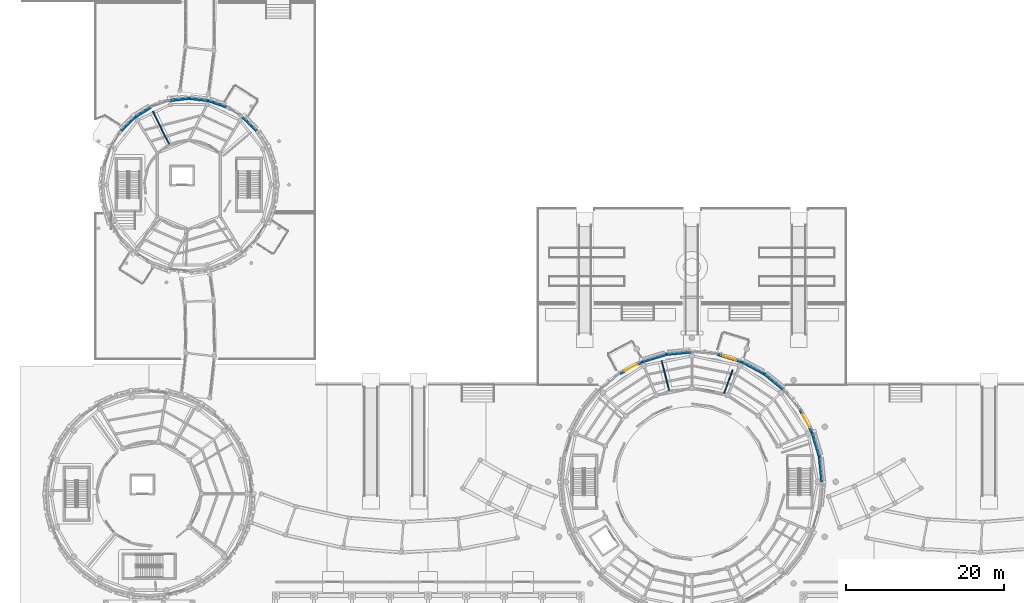
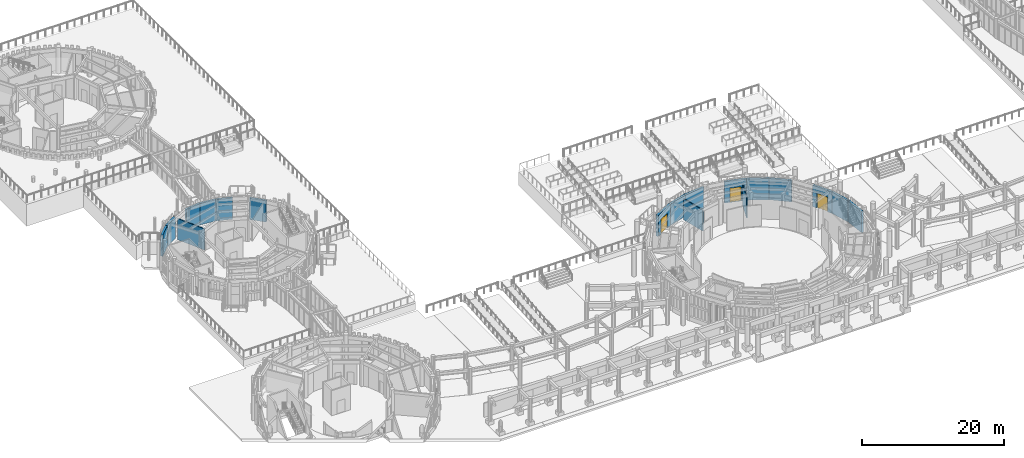
# One storey, part 50 of 94: 18 walls, 3 doors, 3 openings.
"""IFC4 building model written with IfcOpenShell, lengths in metres."""

from ifc_helpers import new_model, si_unit, direction, frame, frame_2d, origin, place, context, subcontext, project, spatial, rectangle, extrude, material, layer, layer_set, type_object, element, fill, save


model = new_model("IFC4")

# Units and contexts
model_context = context("Model", 3, precision=1e-05, world=origin(), true_north=direction((0.0, 1.0)))
body_context = subcontext(model_context, "Body", "Model", "MODEL_VIEW")
ifc_project = project(units=[si_unit("LENGTHUNIT", "METRE"), si_unit("AREAUNIT", "SQUARE_METRE"), si_unit("VOLUMEUNIT", "CUBIC_METRE"), si_unit("PLANEANGLEUNIT", "RADIAN"), si_unit("MASSUNIT", "GRAM", prefix="KILO")], contexts=[model_context])

# Site, building, storey
site_placement = place(None, origin())
site = spatial("IfcSite", under=ifc_project, at=site_placement, CompositionType="ELEMENT")
building_placement = place(site_placement, origin())
building = spatial("IfcBuilding", under=site, at=building_placement, Name="Aldenvaro Health Centre", CompositionType="ELEMENT")
storey_placement = place(building_placement, origin())
storey = spatial("IfcBuildingStorey", under=building, at=storey_placement, Name="L00", CompositionType="ELEMENT", Elevation=0.0)

# Walls
ifc_material_1 = material(Name="Gypsum Stud Acoustic Assembly")
ifc_layer_1 = layer(ifc_material_1, 0.14501953125, Name="Gypsum Stud Acoustic Assembly")
ifc_layer_set_1 = layer_set([ifc_layer_1], Name="Gypsum Stud Acoustic Assembly")
wall_type_1 = type_object("IfcWallType", Name="WL-CLN-145", PredefinedType="PARTITIONING", material=ifc_layer_set_1)
wall_1_placement = place(storey_placement, frame((91.071044921875, 31.18505859375, 0.0), z_axis=(0.0, 0.0, 1.0), x_axis=(0.341881000608, 0.939743252928, 0.0)))
element("IfcWall", 1, at=wall_1_placement, inside=storey, type_object=wall_type_1, Name="D1 L00 clinical partition 2.1", PredefinedType="PARTITIONING", context=body_context, shape_type="SweptSolid", body=[
    extrude(rectangle(XDim=3.12646484375, YDim=0.14501953125, at=frame_2d((1.563232421875, 0.0))), origin(), (0.0, 0.0, 1.0), 3.634033203125),
])
wall_2_placement = place(storey_placement, frame((84.1201171875, 31.549072265625, 0.0), z_axis=(0.0, 0.0, 1.0), x_axis=(-0.241742626418, 0.970340405514, 0.0)))
element("IfcWall", 2, at=wall_2_placement, inside=storey, type_object=wall_type_1, Name="D1 L00 clinical partition 3.1", PredefinedType="PARTITIONING", context=body_context, shape_type="SweptSolid", body=[
    extrude(rectangle(XDim=3.839599609375, YDim=0.14501953125, at=frame_2d((1.919921875, 0.0))), origin(), (0.0, 0.0, 1.0), 3.634033203125),
])
wall_3_placement = place(storey_placement, frame((21.009033203125, 62.60791015625, 0.0), z_axis=(0.0, 0.0, 1.0), x_axis=(-0.438421545089, 0.898769463657, 0.0)))
element("IfcWall", 3, at=wall_3_placement, inside=storey, type_object=wall_type_1, Name="D3 L00 clinical partition 2.1", PredefinedType="PARTITIONING", context=body_context, shape_type="SweptSolid", body=[
    extrude(rectangle(XDim=4.609619140625, YDim=0.14501953125, at=frame_2d((2.3046875, 0.0))), origin(), (0.0, 0.0, 1.0), 3.634033203125),
])

# Wall, opening, door
ifc_material_2 = material(Name="Concrete f'c 35 MPa", Category="concrete")
ifc_layer_2 = layer(ifc_material_2, 0.340087890625, Name="Concrete f'c 35 MPa", Category="concrete")
ifc_layer_set_2 = layer_set([ifc_layer_2], Name="Concrete f'c 35 MPa")
wall_type_2 = type_object("IfcWallType", Name="WL-EXT-340", PredefinedType="SOLIDWALL", material=ifc_layer_set_2)
wall_4_placement = place(storey_placement, frame((77.888916015625, 33.635986328125, 0.0), z_axis=(0.0, 0.0, 1.0), x_axis=(0.881835313523, 0.47155750426, 0.0)))
wall_4 = element("IfcWall", 4, at=wall_4_placement, inside=storey, type_object=wall_type_2, Name="D1 L00 exterior wall 22", PredefinedType="SOLIDWALL", context=body_context, shape_type="SweptSolid", body=[
    extrude(rectangle(XDim=3.215087890625, YDim=0.340087890625, at=frame_2d((1.607421875, 0.0))), origin(), (0.0, 0.0, 1.0), 3.658935546875),
])
opening_1_placement = place(wall_4_placement, frame((0.70703125, 0.0, 0.0)))
opening_1 = element("IfcOpeningElement", 5, at=opening_1_placement, cuts=wall_4, Name="Opening ED-01", PredefinedType="OPENING", context=body_context, shape_type="SweptSolid", body=[
    extrude(rectangle(XDim=1.800048828125, YDim=2.550048828125, at=frame_2d((0.89990234375, 1.27490234375))), frame((0.0, 0.18017578125, 0.0), z_axis=(0.0, -1.0, 0.0), x_axis=(1.0, 0.0, 0.0)), (0.0, 0.0, 1.0), 0.360107421875),
])
ifc_material_3 = material(Name="Thermally Broken Glazed Aluminium", Category="aluminium")
door_type_1 = type_object("IfcDoorType", Name="DR-ENT-200", OperationType="NOTDEFINED", PredefinedType="DOOR", material=ifc_material_3)
door_1_placement = place(opening_1_placement, origin())
door_1 = element("IfcDoor", 6, at=door_1_placement, inside=storey, type_object=door_type_1, Name="Pedestrian Final Exit Door 05", OperationType="SINGLE_SWING_LEFT", OverallHeight=2.550048828125, OverallWidth=1.800048828125, PredefinedType="DOOR", context=body_context, shape_type="SweptSolid", body=[
    extrude(rectangle(XDim=1.800048828125, YDim=2.550048828125, at=frame_2d((0.89990234375, 1.27490234375))), frame((0.0, 0.02490234375, 0.0), z_axis=(0.0, -1.0, 0.0), x_axis=(1.0, 0.0, 0.0)), (0.0, 0.0, 1.0), 0.050048828125),
])
fill(opening_1, door_1)

# Walls
wall_5_placement = place(storey_placement, frame((80.72412109375, 35.152099609375, 0.0), z_axis=(0.0, 0.0, 1.0), x_axis=(0.956984161567, 0.29014016356, 0.0)))
element("IfcWall", 7, at=wall_5_placement, inside=storey, type_object=wall_type_2, Name="D1 L00 exterior wall 23", PredefinedType="SOLIDWALL", context=body_context, shape_type="SweptSolid", body=[
    extrude(rectangle(XDim=3.215087890625, YDim=0.340087890625, at=frame_2d((1.607421875, 0.0))), origin(), (0.0, 0.0, 1.0), 3.658935546875),
])
wall_6_placement = place(storey_placement, frame((83.801025390625, 36.0849609375, 0.0), z_axis=(0.0, 0.0, 1.0), x_axis=(0.995188673637, 0.097977057849, 0.0)))
element("IfcWall", 8, at=wall_6_placement, inside=storey, type_object=wall_type_2, Name="D1 L00 exterior wall 24", PredefinedType="SOLIDWALL", context=body_context, shape_type="SweptSolid", body=[
    extrude(rectangle(XDim=3.21435546875, YDim=0.340087890625, at=frame_2d((1.607177734375, 0.0))), origin(), (0.0, 0.0, 1.0), 3.658935546875),
])

# Wall, opening, door
wall_7_placement = place(storey_placement, frame((90.198974609375, 36.0849609375, 0.0), z_axis=(0.0, 0.0, 1.0), x_axis=(0.956984161567, -0.29014016356, 0.0)))
wall_7 = element("IfcWall", 9, at=wall_7_placement, inside=storey, type_object=wall_type_2, Name="D1 L00 exterior wall 26", PredefinedType="SOLIDWALL", context=body_context, shape_type="SweptSolid", body=[
    extrude(rectangle(XDim=3.215087890625, YDim=0.340087890625, at=frame_2d((1.607421875, 0.0))), origin(), (0.0, 0.0, 1.0), 3.658935546875),
])
opening_2_placement = place(wall_7_placement, frame((0.782958984375, 0.0, 0.0)))
opening_2 = element("IfcOpeningElement", 10, at=opening_2_placement, cuts=wall_7, Name="Opening ED-02", PredefinedType="OPENING", context=body_context, shape_type="SweptSolid", body=[
    extrude(rectangle(XDim=1.64990234375, YDim=2.449951171875, at=frame_2d((0.824951171875, 1.22509765625))), frame((0.0, 0.18017578125, 0.0), z_axis=(0.0, -1.0, 0.0), x_axis=(1.0, 0.0, 0.0)), (0.0, 0.0, 1.0), 0.360107421875),
])
door_type_2 = type_object("IfcDoorType", Name="DR-ENT-175", OperationType="NOTDEFINED", PredefinedType="DOOR", material=ifc_material_3)
door_2_placement = place(opening_2_placement, origin())
door_2 = element("IfcDoor", 11, at=door_2_placement, inside=storey, type_object=door_type_2, Name="Pedestrian Final Exit Door 06", OperationType="SINGLE_SWING_RIGHT", OverallHeight=2.449951171875, OverallWidth=1.64990234375, PredefinedType="DOOR", context=body_context, shape_type="SweptSolid", body=[
    extrude(rectangle(XDim=1.64990234375, YDim=2.449951171875, at=frame_2d((0.824951171875, 1.22509765625))), frame((0.0, 0.02490234375, 0.0), z_axis=(0.0, -1.0, 0.0), x_axis=(1.0, 0.0, 0.0)), (0.0, 0.0, 1.0), 0.050048828125),
])
fill(opening_2, door_2)

# Walls
for number, where, z_axis, x_axis, name in (
    (12, (93.27587890625, 35.152099609375, 0.0), (0.0, 0.0, 1.0), (0.881835313523, -0.47155750426, 0.0), "D1 L00 exterior wall 27"),
    (13, (96.111083984375, 33.635986328125, 0.0), (0.0, 0.0, 1.0), (0.773165020866, -0.634204896314, 0.0), "D1 L00 exterior wall 28"),
):
    element("IfcWall", number, at=place(storey_placement, frame(where, z_axis=z_axis, x_axis=x_axis)), inside=storey, type_object=wall_type_2, Name=name, PredefinedType="SOLIDWALL", context=body_context, shape_type="SweptSolid", body=[
        extrude(rectangle(XDim=3.215087890625, YDim=0.340087890625, at=frame_2d((1.607421875, 0.0))), origin(), (0.0, 0.0, 1.0), 3.658935546875),
    ])

# Wall, opening, door
wall_8_placement = place(storey_placement, frame((100.635986328125, 29.111083984375, 0.0), z_axis=(0.0, 0.0, 1.0), x_axis=(0.47155750426, -0.881835313523, 0.0)))
wall_8 = element("IfcWall", 14, at=wall_8_placement, inside=storey, type_object=wall_type_2, Name="D1 L00 exterior wall 30", PredefinedType="SOLIDWALL", context=body_context, shape_type="SweptSolid", body=[
    extrude(rectangle(XDim=3.215087890625, YDim=0.340087890625, at=frame_2d((1.607421875, 0.0))), origin(), (0.0, 0.0, 1.0), 3.658935546875),
])
opening_3_placement = place(wall_8_placement, frame((0.70703125, 0.0, 0.0)))
opening_3 = element("IfcOpeningElement", 15, at=opening_3_placement, cuts=wall_8, Name="Opening ED-01", PredefinedType="OPENING", context=body_context, shape_type="SweptSolid", body=[
    extrude(rectangle(XDim=1.800048828125, YDim=2.550048828125, at=frame_2d((0.89990234375, 1.27490234375))), frame((0.0, 0.18017578125, 0.0), z_axis=(0.0, -1.0, 0.0), x_axis=(1.0, 0.0, 0.0)), (0.0, 0.0, 1.0), 0.360107421875),
])
door_3_placement = place(opening_3_placement, origin())
door_3 = element("IfcDoor", 16, at=door_3_placement, inside=storey, type_object=door_type_1, Name="Pedestrian Final Exit Door 07", OperationType="SINGLE_SWING_LEFT", OverallHeight=2.550048828125, OverallWidth=1.800048828125, PredefinedType="DOOR", context=body_context, shape_type="SweptSolid", body=[
    extrude(rectangle(XDim=1.800048828125, YDim=2.550048828125, at=frame_2d((0.89990234375, 1.27490234375))), frame((0.0, 0.02490234375, 0.0), z_axis=(0.0, -1.0, 0.0), x_axis=(1.0, 0.0, 0.0)), (0.0, 0.0, 1.0), 0.050048828125),
])
fill(opening_3, door_3)

# Walls
wall_9_placement = place(storey_placement, frame((102.152099609375, 26.27587890625, 0.0), z_axis=(0.0, 0.0, 1.0), x_axis=(0.29014016356, -0.956984161567, 0.0)))
element("IfcWall", 17, at=wall_9_placement, inside=storey, type_object=wall_type_2, Name="D1 L00 exterior wall 31", PredefinedType="SOLIDWALL", context=body_context, shape_type="SweptSolid", body=[
    extrude(rectangle(XDim=3.215087890625, YDim=0.340087890625, at=frame_2d((1.607421875, 0.0))), origin(), (0.0, 0.0, 1.0), 3.658935546875),
])
wall_10_placement = place(storey_placement, frame((103.0849609375, 23.198974609375, 0.0), z_axis=(0.0, 0.0, 1.0), x_axis=(0.097977057849, -0.995188673637, 0.0)))
element("IfcWall", 18, at=wall_10_placement, inside=storey, type_object=wall_type_2, Name="D1 L00 exterior wall 32", PredefinedType="SOLIDWALL", context=body_context, shape_type="SweptSolid", body=[
    extrude(rectangle(XDim=3.21435546875, YDim=0.340087890625, at=frame_2d((1.607177734375, 0.0))), origin(), (0.0, 0.0, 1.0), 3.658935546875),
])
wall_11_placement = place(storey_placement, frame((14.97802734375, 64.2958984375, 0.0), z_axis=(0.0, 0.0, 1.0), x_axis=(0.707106781187, 0.707106781187, 0.0)))
element("IfcWall", 19, at=wall_11_placement, inside=storey, type_object=wall_type_2, Name="D3 L00 exterior wall 18", PredefinedType="SOLIDWALL", context=body_context, shape_type="SweptSolid", body=[
    extrude(rectangle(XDim=2.44091796875, YDim=0.340087890625, at=frame_2d((1.220458984375, 0.0))), origin(), (0.0, 0.0, 1.0), 3.658935546875),
])
wall_12_placement = place(storey_placement, frame((16.7041015625, 66.02197265625, 0.0), z_axis=(0.0, 0.0, 1.0), x_axis=(0.846658434148, 0.532136726684, 0.0)))
element("IfcWall", 20, at=wall_12_placement, inside=storey, type_object=wall_type_2, Name="D3 L00 exterior wall 19", PredefinedType="SOLIDWALL", context=body_context, shape_type="SweptSolid", body=[
    extrude(rectangle(XDim=2.441162109375, YDim=0.340087890625, at=frame_2d((1.220703125, 0.0))), origin(), (0.0, 0.0, 1.0), 3.658935546875),
])
for number, where, z_axis, x_axis, name in (
    (21, (21.074951171875, 68.126953125, 0.0), (0.0, 0.0, 1.0), (0.993725340882, 0.111847873866, 0.0), "D3 L00 exterior wall 21"),
    (22, (23.5, 68.39990234375, 0.0), (0.0, 0.0, 1.0), (0.993725340882, -0.111847873866, 0.0), "D3 L00 exterior wall 22"),
):
    element("IfcWall", number, at=place(storey_placement, frame(where, z_axis=z_axis, x_axis=x_axis)), inside=storey, type_object=wall_type_2, Name=name, PredefinedType="SOLIDWALL", context=body_context, shape_type="SweptSolid", body=[
        extrude(rectangle(XDim=2.4404296875, YDim=0.340087890625, at=frame_2d((1.22021484375, 0.0))), origin(), (0.0, 0.0, 1.0), 3.658935546875),
    ])
for number, where, z_axis, x_axis, name in (
    (23, (25.925048828125, 68.126953125, 0.0), (0.0, 0.0, 1.0), (0.943919156274, -0.330176659411, 0.0), "D3 L00 exterior wall 23"),
    (24, (30.2958984375, 66.02197265625, 0.0), (0.0, 0.0, 1.0), (0.707106781187, -0.707106781187, 0.0), "D3 L00 exterior wall 25"),
):
    element("IfcWall", number, at=place(storey_placement, frame(where, z_axis=z_axis, x_axis=x_axis)), inside=storey, type_object=wall_type_2, Name=name, PredefinedType="SOLIDWALL", context=body_context, shape_type="SweptSolid", body=[
        extrude(rectangle(XDim=2.44091796875, YDim=0.340087890625, at=frame_2d((1.220458984375, 0.0))), origin(), (0.0, 0.0, 1.0), 3.658935546875),
    ])

save(model, "model.ifc")
